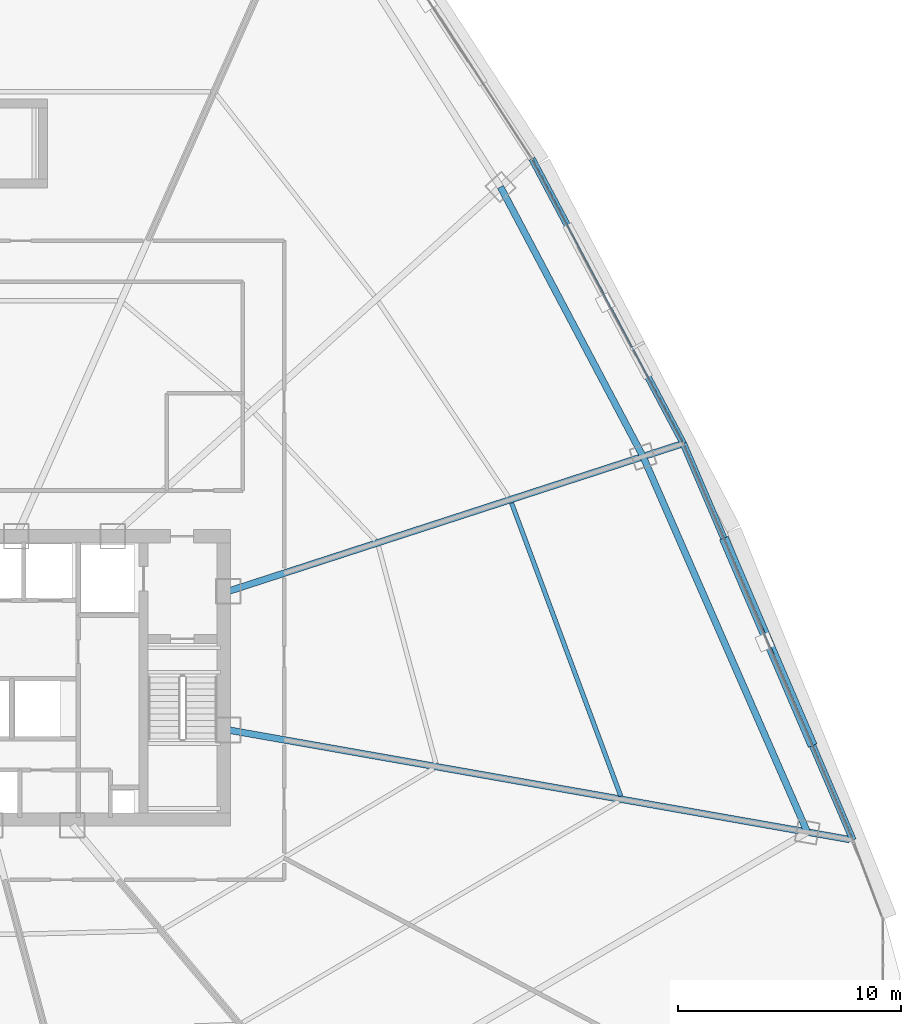
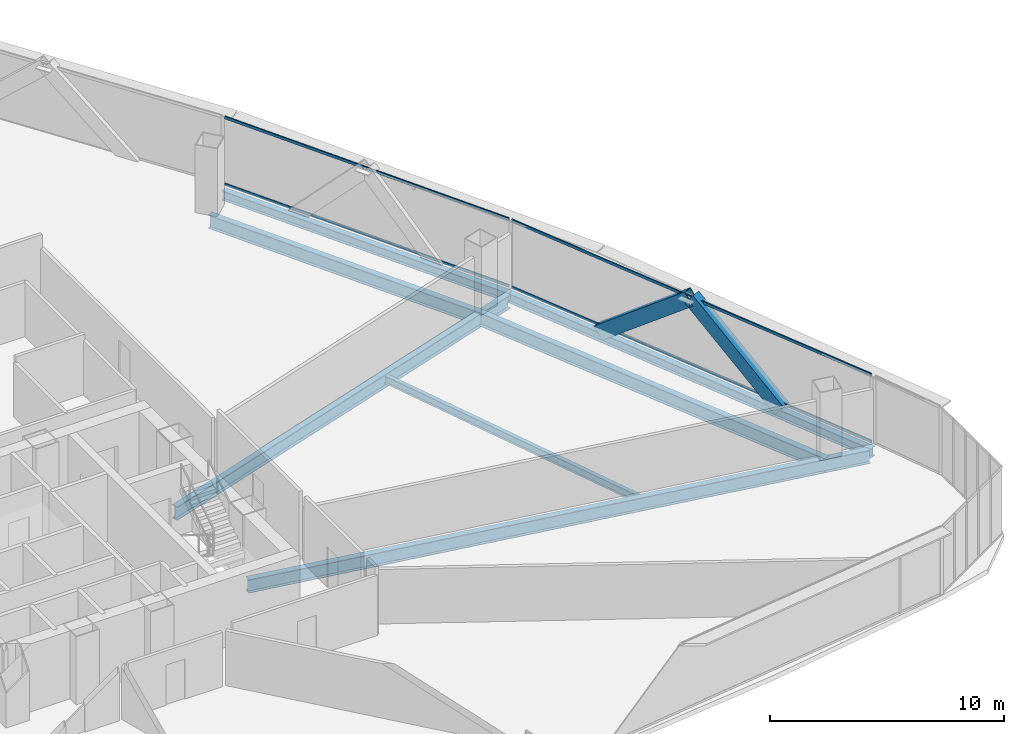
# One storey, part 23 of 39: 7 beams, 6 members, 2 elements without a shape of their own.
"""IFC4 building model written with IfcOpenShell, lengths in metres."""

from ifc_helpers import new_model, si_unit, direction, frame, origin, origin_2d, place, context, subcontext, project, spatial, hollow_rectangle, i_section, extrude, source, transform, mapped, material, layer, layer_set, material_profile, profile_set, type_object, element, aggregate, save


model = new_model("IFC4")

# Units and contexts
model_context = context("Model", 3, precision=1e-05, world=origin(), true_north=direction((0.0, 1.0)))
body_context = subcontext(model_context, "Body", "Model", "MODEL_VIEW")
ifc_project = project(units=[si_unit("LENGTHUNIT", "METRE"), si_unit("AREAUNIT", "SQUARE_METRE"), si_unit("VOLUMEUNIT", "CUBIC_METRE"), si_unit("PLANEANGLEUNIT", "RADIAN"), si_unit("MASSUNIT", "GRAM", prefix="KILO"), si_unit("THERMODYNAMICTEMPERATUREUNIT", "KELVIN"), si_unit("POWERUNIT", "WATT")], contexts=[model_context])

# Site, building, storey
site_placement = place(None, origin())
site = spatial("IfcSite", under=ifc_project, at=site_placement, CompositionType="ELEMENT")
building_placement = place(site_placement, origin())
building = spatial("IfcBuilding", under=site, at=building_placement, Name="Yunzhuo Pagoda Commons", CompositionType="ELEMENT")
storey_placement = place(building_placement, frame((0.0, 0.0, 100.179931640625)))
storey = spatial("IfcBuildingStorey", under=building, at=storey_placement, Name="L25", CompositionType="ELEMENT", Elevation=100.179931640625)

# Beams
ifc_material_1 = material(Name="Structural steel Q355B", Category="steel")
ifc_material_profile_1 = material_profile(ifc_material_1, i_section(OverallWidth=0.300048828125, OverallDepth=0.699951171875, WebThickness=0.012939453125, FlangeThickness=0.02392578125, at=origin_2d()), Name="Structural steel Q355B")
ifc_profile_set_1 = profile_set([ifc_material_profile_1], Name="Structural steel Q355B")
beam_type_1 = type_object("IfcBeamType", Name="B-RG1 Beam HN 700x300x13x24", PredefinedType="BEAM", material=ifc_profile_set_1)
shared_shape_1 = source(origin(), body_context, "Body", "SweptSolid", [
    extrude(i_section(OverallWidth=0.300048828125, OverallDepth=0.699951171875, WebThickness=0.012939453125, FlangeThickness=0.02392578125, at=origin_2d()), origin(), (0.0, 0.0, 1.0), 18.37158203125),
])
beam_1_placement = place(storey_placement, frame((86.352783203125, 26.9375, -0.60986328125), z_axis=(-0.400729599795, 0.916196369698, 0.0), x_axis=(-0.916196369698, -0.400729599795, 0.0)))
element("IfcBeam", 1, at=beam_1_placement, inside=storey, type_object=beam_type_1, Name="L25 column-ring beam 5", PredefinedType="BEAM", context=body_context, shape_type="MappedRepresentation", body=[
    mapped(shared_shape_1, transform((0.0, 0.0, 0.0), scale=1.0)),
])
shared_shape_2 = source(origin(), body_context, "Body", "SweptSolid", [
    extrude(i_section(OverallWidth=0.300048828125, OverallDepth=0.699951171875, WebThickness=0.012939453125, FlangeThickness=0.02392578125, at=origin_2d()), origin(), (0.0, 0.0, 1.0), 13.66748046875),
])
beam_2_placement = place(storey_placement, frame((78.99072265625, 43.76953125, -0.60986328125), z_axis=(-0.467383716456, 0.88405455804, 0.0), x_axis=(-0.88405455804, -0.467383716456, 0.0)))
element("IfcBeam", 2, at=beam_2_placement, inside=storey, type_object=beam_type_1, Name="L25 column-ring beam 6", PredefinedType="BEAM", context=body_context, shape_type="MappedRepresentation", body=[
    mapped(shared_shape_2, transform((0.0, 0.0, 0.0), scale=1.0)),
])
ifc_material_profile_2 = material_profile(ifc_material_1, i_section(OverallWidth=0.199951171875, OverallDepth=0.39990234375, WebThickness=0.008056640625, FlangeThickness=0.012939453125, at=origin_2d()), Name="Structural steel Q355B")
ifc_profile_set_2 = profile_set([ifc_material_profile_2], Name="Structural steel Q355B")
beam_type_2 = type_object("IfcBeamType", Name="B-JS1 Joist HN 400x200x8x13", PredefinedType="JOIST", material=ifc_profile_set_2)
shared_shape_3 = source(origin(), body_context, "Body", "SweptSolid", [
    extrude(i_section(OverallWidth=0.199951171875, OverallDepth=0.39990234375, WebThickness=0.008056640625, FlangeThickness=0.012939453125, at=origin_2d()), origin(), (0.0, 0.0, 1.0), 14.01904296875),
])
beam_3_placement = place(storey_placement, frame((77.992431640625, 28.55078125, -0.4599609375), z_axis=(-0.349168392993, 0.937059994523, 0.0), x_axis=(-0.937059994523, -0.349168392993, 0.0)))
element("IfcBeam", 3, at=beam_3_placement, inside=storey, type_object=beam_type_2, Name="L25 composite ring joist 2.5", PredefinedType="JOIST", context=body_context, shape_type="MappedRepresentation", body=[
    mapped(shared_shape_3, transform((0.0, 0.0, 0.0), scale=1.0)),
])
shared_shape_4 = source(origin(), body_context, "Body", "SweptSolid", [
    extrude(i_section(OverallWidth=0.300048828125, OverallDepth=0.699951171875, WebThickness=0.012939453125, FlangeThickness=0.02392578125, at=origin_2d()), origin(), (0.0, 0.0, 1.0), 28.281005859375),
])
beam_4_placement = place(storey_placement, frame((88.251220703125, 26.6025390625, -0.60986328125), z_axis=(-0.984808056581, 0.173646456036, 0.0), x_axis=(-0.173646456036, -0.984808056581, 0.0)))
element("IfcBeam", 4, at=beam_4_placement, inside=storey, type_object=beam_type_1, Name="L25 radial floor girder F2C1", PredefinedType="BEAM", context=body_context, shape_type="MappedRepresentation", body=[
    mapped(shared_shape_4, transform((0.0, 0.0, 0.0), scale=1.0)),
])
shared_shape_5 = source(origin(), body_context, "Body", "SweptSolid", [
    extrude(i_section(OverallWidth=0.300048828125, OverallDepth=0.699951171875, WebThickness=0.012939453125, FlangeThickness=0.02392578125, at=origin_2d()), origin(), (0.0, 0.0, 1.0), 21.291015625),
])
beam_5_placement = place(storey_placement, frame((80.64892578125, 44.308349609375, -0.60986328125), z_axis=(-0.951055975763, -0.309018657956, 0.0), x_axis=(0.309018657956, -0.951055975763, 0.0)))
element("IfcBeam", 5, at=beam_5_placement, inside=storey, type_object=beam_type_1, Name="L25 radial floor girder F2C2", PredefinedType="BEAM", context=body_context, shape_type="MappedRepresentation", body=[
    mapped(shared_shape_5, transform((0.0, 0.0, 0.0), scale=1.0)),
])
ifc_material_profile_3 = material_profile(ifc_material_1, i_section(OverallWidth=0.300048828125, OverallDepth=0.488037109375, WebThickness=0.010986328125, FlangeThickness=0.01806640625, at=origin_2d()), Name="Structural steel Q355B")
ifc_profile_set_3 = profile_set([ifc_material_profile_3], Name="Structural steel Q355B")
beam_type_3 = type_object("IfcBeamType", Name="B-SP1 Beam HM 488x300x11x18", PredefinedType="BEAM", material=ifc_profile_set_3)
shared_shape_6 = source(origin(), body_context, "Body", "SweptSolid", [
    extrude(i_section(OverallWidth=0.300048828125, OverallDepth=0.488037109375, WebThickness=0.010986328125, FlangeThickness=0.01806640625, at=origin_2d()), origin(), (0.0, 0.0, 1.0), 19.339599609375),
])
beam_6_placement = place(storey_placement, frame((88.40380859375, 26.57568359375, -0.50390625), z_axis=(-0.393360074903, 0.919384495993, 0.0), x_axis=(-0.919384495993, -0.393360074903, 0.0)))
element("IfcBeam", 6, at=beam_6_placement, inside=storey, type_object=beam_type_3, Name="L25 facade edge spandrel beam F2.1", PredefinedType="BEAM", context=body_context, shape_type="MappedRepresentation", body=[
    mapped(shared_shape_6, transform((0.0, 0.0, 0.0), scale=1.0)),
])
shared_shape_7 = source(origin(), body_context, "Body", "SweptSolid", [
    extrude(i_section(OverallWidth=0.300048828125, OverallDepth=0.488037109375, WebThickness=0.010986328125, FlangeThickness=0.01806640625, at=origin_2d()), origin(), (0.0, 0.0, 1.0), 14.45556640625),
])
beam_7_placement = place(storey_placement, frame((80.79638671875, 44.356201171875, -0.50390625), z_axis=(-0.469414934682, 0.882977700227, 0.0), x_axis=(-0.882977700227, -0.469414934682, 0.0)))
element("IfcBeam", 7, at=beam_7_placement, inside=storey, type_object=beam_type_3, Name="L25 facade edge spandrel beam F2.2", PredefinedType="BEAM", context=body_context, shape_type="MappedRepresentation", body=[
    mapped(shared_shape_7, transform((0.0, 0.0, 0.0), scale=1.0)),
])

# Members
ifc_material_2 = material(Name="Structural steel Q420B", Category="steel")
ifc_material_profile_4 = material_profile(ifc_material_2, hollow_rectangle(XDim=0.419921875, YDim=0.719970703125, WallThickness=0.028076171875, at=origin_2d()), Name="Structural steel Q420B")
ifc_profile_set_4 = profile_set([ifc_material_profile_4], Name="Structural steel Q420B")
member_type_1 = type_object("IfcMemberType", Name="M-DL1 Brace BOX 720x420x28", PredefinedType="BRACE", material=ifc_profile_set_4)
shared_shape_8 = source(origin(), body_context, "Body", "SweptSolid", [
    extrude(hollow_rectangle(XDim=0.419921875, YDim=0.719970703125, WallThickness=0.028076171875, at=origin_2d()), origin(), (0.0, 0.0, 1.0), 6.1494140625),
])
member_1_placement = place(storey_placement, frame((86.501953125, 31.020751953125, -0.260009765625), z_axis=(-0.309271130449, 0.722836902707, 0.617946745243), x_axis=(-0.919382542639, -0.393364640367, 0.0)))
element("IfcMember", 8, at=member_1_placement, inside=storey, type_object=member_type_1, Name="L25 facade diamond brace F2.1L", PredefinedType="BRACE", context=body_context, shape_type="MappedRepresentation", body=[
    mapped(shared_shape_8, transform((0.0, 0.0, 0.0), scale=1.0)),
])
shared_shape_9 = source(origin(), body_context, "Body", "SweptSolid", [
    extrude(hollow_rectangle(XDim=0.419921875, YDim=0.719970703125, WallThickness=0.028076171875, at=origin_2d()), origin(), (0.0, 0.0, 1.0), 6.149658203125),
])
member_2_placement = place(storey_placement, frame((82.6982421875, 39.9111328125, -0.260009765625), z_axis=(0.309262255316, -0.72285585941, 0.617929012067), x_axis=(0.919390355647, 0.393346379091, 0.0)))
element("IfcMember", 9, at=member_2_placement, inside=storey, type_object=member_type_1, Name="L25 facade diamond brace F2.1R", PredefinedType="BRACE", context=body_context, shape_type="MappedRepresentation", body=[
    mapped(shared_shape_9, transform((0.0, 0.0, 0.0), scale=1.0)),
])

# Curtain wall, members
ifc_material_3 = material(Name="Anodized aluminium 6063-T6", Category="aluminium")
ifc_layer = layer(ifc_material_3, 0.1650390625)
ifc_layer_set = layer_set([ifc_layer], Name="Anodized aluminium 6063-T6")
curtain_wall_type = type_object("IfcCurtainWallType", Name="CW-LOW Low-Zone Ribbon Curtain Wall", PredefinedType="NOTDEFINED", material=ifc_layer_set)
curtain_wall_1_placement = place(storey_placement, origin())
curtain_wall_1 = element("IfcCurtainWall", 10, at=curtain_wall_1_placement, inside=storey, type_object=curtain_wall_type, Name="L25 curtain wall CW-L25-F2B2", PredefinedType="NOTDEFINED")
ifc_material_profile_5 = material_profile(ifc_material_3, hollow_rectangle(XDim=0.06005859375, YDim=0.139892578125, WallThickness=0.00341796875, at=origin_2d()), Name="Anodized aluminium 6063-T6")
ifc_profile_set_5 = profile_set([ifc_material_profile_5], Name="Anodized aluminium 6063-T6")
member_type_2 = type_object("IfcMemberType", Name="CW-LOW-T Transom RHS 140x60x3.5", PredefinedType="USERDEFINED", material=ifc_profile_set_5)
shared_shape_10 = source(origin(), body_context, "Body", "SweptSolid", [
    extrude(hollow_rectangle(XDim=0.06005859375, YDim=0.139892578125, WallThickness=0.00341796875, at=origin_2d()), origin(), (0.0, 0.0, 1.0), 19.20947265625),
])
member_3_placement = place(storey_placement, frame((88.37841796875, 26.635498046875, 0.030029296875), z_axis=(-0.393356285421, 0.91938611732, 0.0), x_axis=(-0.91938611732, -0.393356285421, 0.0)))
member_3 = element("IfcMember", 11, at=member_3_placement, type_object=member_type_2, Name="CW transom 1.1", ObjectType="TRANSOM", PredefinedType="USERDEFINED", context=body_context, shape_type="MappedRepresentation", body=[
    mapped(shared_shape_10, transform((0.0, 0.0, 0.0), scale=1.0)),
])
member_4_placement = place(storey_placement, frame((88.37841796875, 26.635498046875, 3.510009765625), z_axis=(-0.393356285421, 0.91938611732, 0.0), x_axis=(-0.91938611732, -0.393356285421, 0.0)))
member_4 = element("IfcMember", 12, at=member_4_placement, type_object=member_type_2, Name="CW transom 1.2", ObjectType="TRANSOM", PredefinedType="USERDEFINED", context=body_context, shape_type="MappedRepresentation", body=[
    mapped(shared_shape_10, transform((0.0, 0.0, 0.0), scale=1.0)),
])
aggregate(curtain_wall_1, [member_3, member_4])

curtain_wall_2_placement = place(storey_placement, origin())
curtain_wall_2 = element("IfcCurtainWall", 13, at=curtain_wall_2_placement, inside=storey, type_object=curtain_wall_type, Name="L25 curtain wall CW-L25-F2B3", PredefinedType="NOTDEFINED")
shared_shape_11 = source(origin(), body_context, "Body", "SweptSolid", [
    extrude(hollow_rectangle(XDim=0.06005859375, YDim=0.139892578125, WallThickness=0.00341796875, at=origin_2d()), origin(), (0.0, 0.0, 1.0), 14.32568359375),
])
member_5_placement = place(storey_placement, frame((80.765869140625, 44.41357421875, 0.030029296875), z_axis=(-0.469413137866, 0.88297865546, 0.0), x_axis=(-0.88297865546, -0.469413137866, 0.0)))
member_5 = element("IfcMember", 14, at=member_5_placement, type_object=member_type_2, Name="CW transom 1.1", ObjectType="TRANSOM", PredefinedType="USERDEFINED", context=body_context, shape_type="MappedRepresentation", body=[
    mapped(shared_shape_11, transform((0.0, 0.0, 0.0), scale=1.0)),
])
member_6_placement = place(storey_placement, frame((80.765869140625, 44.41357421875, 3.510009765625), z_axis=(-0.469413137866, 0.88297865546, 0.0), x_axis=(-0.88297865546, -0.469413137866, 0.0)))
member_6 = element("IfcMember", 15, at=member_6_placement, type_object=member_type_2, Name="CW transom 1.2", ObjectType="TRANSOM", PredefinedType="USERDEFINED", context=body_context, shape_type="MappedRepresentation", body=[
    mapped(shared_shape_11, transform((0.0, 0.0, 0.0), scale=1.0)),
])
aggregate(curtain_wall_2, [member_5, member_6])

save(model, "model.ifc")
